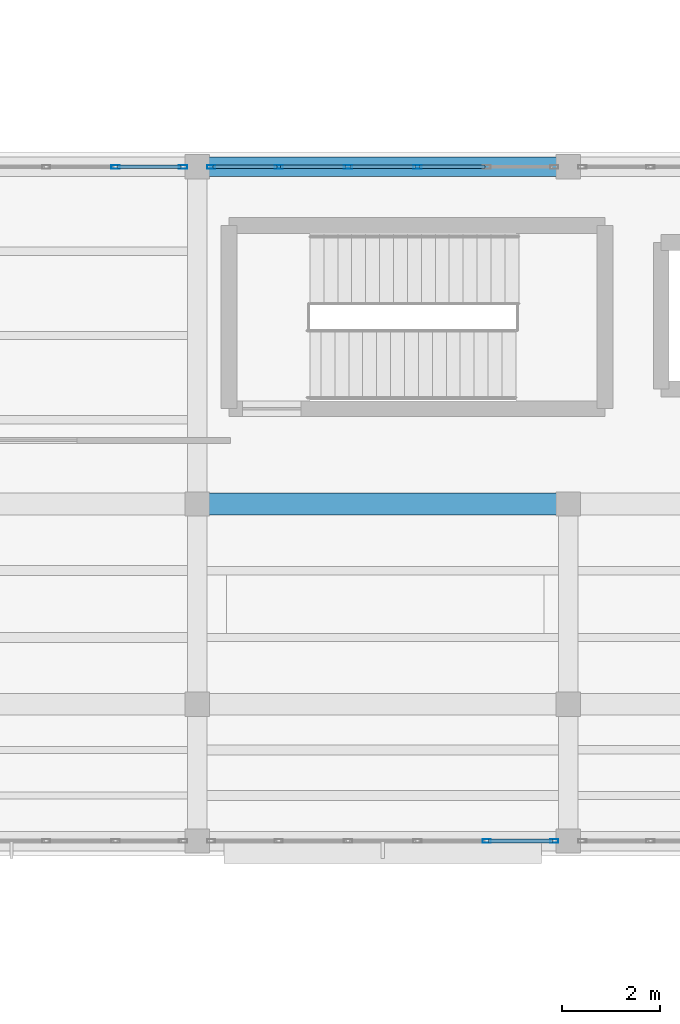
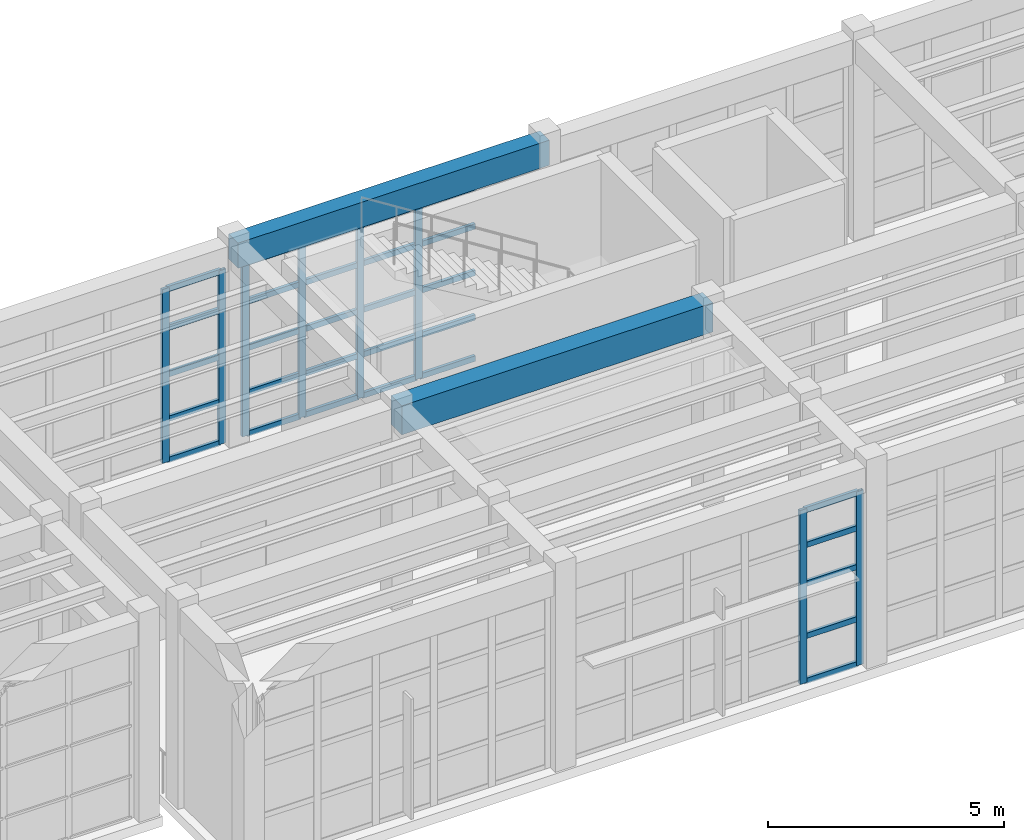
# One storey, part 24 of 103: 38 members, 2 beams, 3 elements without a shape of their own.
"""IFC4 building model written with IfcOpenShell, lengths in metres."""

from ifc_helpers import new_model, si_unit, direction, frame, origin, origin_2d, place, context, subcontext, project, spatial, rectangle, hollow_rectangle, extrude, material, layer, layer_set, material_profile, profile_set, type_object, element, aggregate, save


model = new_model("IFC4")

# Units and contexts
model_context = context("Model", 3, precision=1e-05, world=origin(), true_north=direction((0.0, 1.0)))
body_context = subcontext(model_context, "Body", "Model", "MODEL_VIEW")
ifc_project = project(units=[si_unit("LENGTHUNIT", "METRE"), si_unit("AREAUNIT", "SQUARE_METRE"), si_unit("VOLUMEUNIT", "CUBIC_METRE"), si_unit("PLANEANGLEUNIT", "RADIAN"), si_unit("MASSUNIT", "GRAM", prefix="KILO")], contexts=[model_context])

# Site, building, storey
site_placement = place(None, origin())
site = spatial("IfcSite", under=ifc_project, at=site_placement, CompositionType="ELEMENT")
building_placement = place(site_placement, origin())
building = spatial("IfcBuilding", under=site, at=building_placement, Name="Candilejo Ridge Gondola Terminal", CompositionType="ELEMENT")
storey_placement = place(building_placement, frame((0.0, 0.0, 9.0)))
storey = spatial("IfcBuildingStorey", under=building, at=storey_placement, Name="L02", CompositionType="ELEMENT", Elevation=9.0)

# Curtain wall, members
ifc_material_1 = material(Name="Anodised aluminium AA 6063-T6", Category="aluminium")
ifc_layer_1 = layer(ifc_material_1, 0.169921875)
ifc_layer_set_1 = layer_set([ifc_layer_1], Name="ARC-CW-GALLERY-3200-710X449")
curtain_wall_type_1 = type_object("IfcCurtainWallType", Name="ARC-CW-GALLERY-3200-710X449", PredefinedType="NOTDEFINED", material=ifc_layer_set_1)
curtain_wall_1_placement = place(storey_placement, origin())
curtain_wall_1 = element("IfcCurtainWall", 1, at=curtain_wall_1_placement, inside=storey, type_object=curtain_wall_type_1, Name="Curtain wall V3 L02-082", PredefinedType="NOTDEFINED")
ifc_material_2 = material(Name="Anodised aluminium AA 6063-T6", Category="aluminium")
ifc_material_profile_1 = material_profile(ifc_material_2, hollow_rectangle(XDim=0.074951171875, YDim=0.169921875, WallThickness=0.00390625, at=origin_2d()))
ifc_profile_set_1 = profile_set([ifc_material_profile_1], Name="Anodised aluminium AA 6063-T6")
member_type_1 = type_object("IfcMemberType", Name="ARC-CW-MULLION", PredefinedType="MULLION", material=ifc_profile_set_1)
member_1_placement = place(storey_placement, frame((92.929931640625, 36.699951171875, 0.0), z_axis=(0.0, 0.0, 1.0), x_axis=(0.0, 1.0, 0.0)))
member_1 = element("IfcMember", 2, at=member_1_placement, type_object=member_type_1, Name="CW-71X44 mullion 5", PredefinedType="MULLION", context=body_context, shape_type="SweptSolid", body=[
    extrude(hollow_rectangle(XDim=0.074951171875, YDim=0.169921875, WallThickness=0.00390625, at=origin_2d()), origin(), (0.0, 0.0, 1.0), 4.489990234375),
])
member_2_placement = place(storey_placement, frame((94.3125, 36.699951171875, 0.0), z_axis=(0.0, 0.0, 1.0), x_axis=(0.0, 1.0, 0.0)))
member_2 = element("IfcMember", 3, at=member_2_placement, type_object=member_type_1, Name="CW-71X44 mullion 6", PredefinedType="MULLION", context=body_context, shape_type="SweptSolid", body=[
    extrude(hollow_rectangle(XDim=0.074951171875, YDim=0.169921875, WallThickness=0.00390625, at=origin_2d()), origin(), (0.0, 0.0, 1.0), 4.489990234375),
])

curtain_wall_2_placement = place(storey_placement, origin())
curtain_wall_2 = element("IfcCurtainWall", 4, at=curtain_wall_2_placement, inside=storey, type_object=curtain_wall_type_1, Name="Curtain wall V3 L02-084", PredefinedType="NOTDEFINED")
member_3_placement = place(storey_placement, frame((94.887451171875, 36.699951171875, 0.0), z_axis=(0.0, 0.0, 1.0), x_axis=(0.0, 1.0, 0.0)))
member_3 = element("IfcMember", 5, at=member_3_placement, type_object=member_type_1, Name="CW-71X44 mullion 1", PredefinedType="MULLION", context=body_context, shape_type="SweptSolid", body=[
    extrude(hollow_rectangle(XDim=0.074951171875, YDim=0.169921875, WallThickness=0.00390625, at=origin_2d()), origin(), (0.0, 0.0, 1.0), 4.489990234375),
])
member_4_placement = place(storey_placement, frame((96.27001953125, 36.699951171875, 0.0), z_axis=(0.0, 0.0, 1.0), x_axis=(0.0, 1.0, 0.0)))
member_4 = element("IfcMember", 6, at=member_4_placement, type_object=member_type_1, Name="CW-71X44 mullion 2", PredefinedType="MULLION", context=body_context, shape_type="SweptSolid", body=[
    extrude(hollow_rectangle(XDim=0.074951171875, YDim=0.169921875, WallThickness=0.00390625, at=origin_2d()), origin(), (0.0, 0.0, 1.0), 4.489990234375),
])
member_5_placement = place(storey_placement, frame((97.68994140625, 36.699951171875, 0.0), z_axis=(0.0, 0.0, 1.0), x_axis=(0.0, 1.0, 0.0)))
member_5 = element("IfcMember", 7, at=member_5_placement, type_object=member_type_1, Name="CW-71X44 mullion 3", PredefinedType="MULLION", context=body_context, shape_type="SweptSolid", body=[
    extrude(hollow_rectangle(XDim=0.074951171875, YDim=0.169921875, WallThickness=0.00390625, at=origin_2d()), origin(), (0.0, 0.0, 1.0), 4.489990234375),
])
member_6_placement = place(storey_placement, frame((99.110107421875, 36.699951171875, 0.0), z_axis=(0.0, 0.0, 1.0), x_axis=(0.0, 1.0, 0.0)))
member_6 = element("IfcMember", 8, at=member_6_placement, type_object=member_type_1, Name="CW-71X44 mullion 4", PredefinedType="MULLION", context=body_context, shape_type="SweptSolid", body=[
    extrude(hollow_rectangle(XDim=0.074951171875, YDim=0.169921875, WallThickness=0.00390625, at=origin_2d()), origin(), (0.0, 0.0, 1.0), 4.489990234375),
])

ifc_material_3 = material(Name="Anodised aluminium AA 6063-T6", Category="aluminium")
ifc_layer_2 = layer(ifc_material_3, 0.169921875)
ifc_layer_set_2 = layer_set([ifc_layer_2], Name="ARC-CW-CONCOURSE-3600-710X449")
curtain_wall_type_2 = type_object("IfcCurtainWallType", Name="ARC-CW-CONCOURSE-3600-710X449", PredefinedType="NOTDEFINED", material=ifc_layer_set_2)
curtain_wall_3_placement = place(storey_placement, origin())
curtain_wall_3 = element("IfcCurtainWall", 9, at=curtain_wall_3_placement, inside=storey, type_object=curtain_wall_type_2, Name="Curtain wall V3 L02-085", PredefinedType="NOTDEFINED")
member_7_placement = place(storey_placement, frame((100.530029296875, 22.89990234375, 0.0), z_axis=(0.0, 0.0, 1.0), x_axis=(0.0, 1.0, 0.0)))
member_7 = element("IfcMember", 10, at=member_7_placement, type_object=member_type_1, Name="CW-71X44 mullion 5", PredefinedType="MULLION", context=body_context, shape_type="SweptSolid", body=[
    extrude(hollow_rectangle(XDim=0.074951171875, YDim=0.169921875, WallThickness=0.00390625, at=origin_2d()), origin(), (0.0, 0.0, 1.0), 4.489990234375),
])
member_8_placement = place(storey_placement, frame((101.91259765625, 22.89990234375, 0.0), z_axis=(0.0, 0.0, 1.0), x_axis=(0.0, 1.0, 0.0)))
member_8 = element("IfcMember", 11, at=member_8_placement, type_object=member_type_1, Name="CW-71X44 mullion 6", PredefinedType="MULLION", context=body_context, shape_type="SweptSolid", body=[
    extrude(hollow_rectangle(XDim=0.074951171875, YDim=0.169921875, WallThickness=0.00390625, at=origin_2d()), origin(), (0.0, 0.0, 1.0), 4.489990234375),
])

# Member
ifc_material_4 = material(Name="Anodised aluminium AA 6063-T6", Category="aluminium")
ifc_material_profile_2 = material_profile(ifc_material_4, hollow_rectangle(XDim=0.074951171875, YDim=0.139892578125, WallThickness=0.00390625, at=origin_2d()))
ifc_profile_set_2 = profile_set([ifc_material_profile_2], Name="Anodised aluminium AA 6063-T6")
member_type_2 = type_object("IfcMemberType", Name="ARC-CW-TRANSOM", PredefinedType="USERDEFINED", material=ifc_profile_set_2)
member_9_placement = place(storey_placement, frame((92.967529296875, 36.699951171875, 0.03759765625), z_axis=(1.0, 0.0, 0.0), x_axis=(0.0, 1.0, 0.0)))
member_9 = element("IfcMember", 12, at=member_9_placement, type_object=member_type_2, Name="CW-71X44 transom 5.1", ObjectType="TRANSOM", PredefinedType="USERDEFINED", context=body_context, shape_type="SweptSolid", body=[
    extrude(hollow_rectangle(XDim=0.074951171875, YDim=0.139892578125, WallThickness=0.00390625, at=origin_2d()), origin(), (0.0, 0.0, 1.0), 1.307373046875),
])

member_10_placement = place(storey_placement, frame((92.967529296875, 36.699951171875, 1.10009765625), z_axis=(1.0, 0.0, 0.0), x_axis=(0.0, 1.0, 0.0)))
member_10 = element("IfcMember", 13, at=member_10_placement, type_object=member_type_2, Name="CW-71X44 transom 5.2", ObjectType="TRANSOM", PredefinedType="USERDEFINED", context=body_context, shape_type="SweptSolid", body=[
    extrude(hollow_rectangle(XDim=0.074951171875, YDim=0.139892578125, WallThickness=0.00390625, at=origin_2d()), origin(), (0.0, 0.0, 1.0), 1.307373046875),
])

member_11_placement = place(storey_placement, frame((92.967529296875, 36.699951171875, 2.25), z_axis=(1.0, 0.0, 0.0), x_axis=(0.0, 1.0, 0.0)))
member_11 = element("IfcMember", 14, at=member_11_placement, type_object=member_type_2, Name="CW-71X44 transom 5.3", ObjectType="TRANSOM", PredefinedType="USERDEFINED", context=body_context, shape_type="SweptSolid", body=[
    extrude(hollow_rectangle(XDim=0.074951171875, YDim=0.139892578125, WallThickness=0.00390625, at=origin_2d()), origin(), (0.0, 0.0, 1.0), 1.307373046875),
])

member_12_placement = place(storey_placement, frame((92.967529296875, 36.699951171875, 3.449951171875), z_axis=(1.0, 0.0, 0.0), x_axis=(0.0, 1.0, 0.0)))
member_12 = element("IfcMember", 15, at=member_12_placement, type_object=member_type_2, Name="CW-71X44 transom 5.4", ObjectType="TRANSOM", PredefinedType="USERDEFINED", context=body_context, shape_type="SweptSolid", body=[
    extrude(hollow_rectangle(XDim=0.074951171875, YDim=0.139892578125, WallThickness=0.00390625, at=origin_2d()), origin(), (0.0, 0.0, 1.0), 1.307373046875),
])

member_13_placement = place(storey_placement, frame((92.967529296875, 36.699951171875, 4.452392578125), z_axis=(1.0, 0.0, 0.0), x_axis=(0.0, 1.0, 0.0)))
member_13 = element("IfcMember", 16, at=member_13_placement, type_object=member_type_2, Name="CW-71X44 transom 5.5", ObjectType="TRANSOM", PredefinedType="USERDEFINED", context=body_context, shape_type="SweptSolid", body=[
    extrude(hollow_rectangle(XDim=0.074951171875, YDim=0.139892578125, WallThickness=0.00390625, at=origin_2d()), origin(), (0.0, 0.0, 1.0), 1.307373046875),
])

aggregate(curtain_wall_1, [member_1, member_2, member_9, member_10, member_11, member_12, member_13])

member_14_placement = place(storey_placement, frame((94.925048828125, 36.699951171875, 0.03759765625), z_axis=(1.0, 0.0, 0.0), x_axis=(0.0, 1.0, 0.0)))
member_14 = element("IfcMember", 17, at=member_14_placement, type_object=member_type_2, Name="CW-71X44 transom 1.1", ObjectType="TRANSOM", PredefinedType="USERDEFINED", context=body_context, shape_type="SweptSolid", body=[
    extrude(hollow_rectangle(XDim=0.074951171875, YDim=0.139892578125, WallThickness=0.00390625, at=origin_2d()), origin(), (0.0, 0.0, 1.0), 1.307373046875),
])

member_15_placement = place(storey_placement, frame((94.925048828125, 36.699951171875, 1.10009765625), z_axis=(1.0, 0.0, 0.0), x_axis=(0.0, 1.0, 0.0)))
member_15 = element("IfcMember", 18, at=member_15_placement, type_object=member_type_2, Name="CW-71X44 transom 1.2", ObjectType="TRANSOM", PredefinedType="USERDEFINED", context=body_context, shape_type="SweptSolid", body=[
    extrude(hollow_rectangle(XDim=0.074951171875, YDim=0.139892578125, WallThickness=0.00390625, at=origin_2d()), origin(), (0.0, 0.0, 1.0), 1.307373046875),
])

member_16_placement = place(storey_placement, frame((94.925048828125, 36.699951171875, 2.25), z_axis=(1.0, 0.0, 0.0), x_axis=(0.0, 1.0, 0.0)))
member_16 = element("IfcMember", 19, at=member_16_placement, type_object=member_type_2, Name="CW-71X44 transom 1.3", ObjectType="TRANSOM", PredefinedType="USERDEFINED", context=body_context, shape_type="SweptSolid", body=[
    extrude(hollow_rectangle(XDim=0.074951171875, YDim=0.139892578125, WallThickness=0.00390625, at=origin_2d()), origin(), (0.0, 0.0, 1.0), 1.307373046875),
])

member_17_placement = place(storey_placement, frame((94.925048828125, 36.699951171875, 3.449951171875), z_axis=(1.0, 0.0, 0.0), x_axis=(0.0, 1.0, 0.0)))
member_17 = element("IfcMember", 20, at=member_17_placement, type_object=member_type_2, Name="CW-71X44 transom 1.4", ObjectType="TRANSOM", PredefinedType="USERDEFINED", context=body_context, shape_type="SweptSolid", body=[
    extrude(hollow_rectangle(XDim=0.074951171875, YDim=0.139892578125, WallThickness=0.00390625, at=origin_2d()), origin(), (0.0, 0.0, 1.0), 1.307373046875),
])

member_18_placement = place(storey_placement, frame((94.925048828125, 36.699951171875, 4.452392578125), z_axis=(1.0, 0.0, 0.0), x_axis=(0.0, 1.0, 0.0)))
member_18 = element("IfcMember", 21, at=member_18_placement, type_object=member_type_2, Name="CW-71X44 transom 1.5", ObjectType="TRANSOM", PredefinedType="USERDEFINED", context=body_context, shape_type="SweptSolid", body=[
    extrude(hollow_rectangle(XDim=0.074951171875, YDim=0.139892578125, WallThickness=0.00390625, at=origin_2d()), origin(), (0.0, 0.0, 1.0), 1.307373046875),
])

member_19_placement = place(storey_placement, frame((96.3076171875, 36.699951171875, 0.03759765625), z_axis=(1.0, 0.0, 0.0), x_axis=(0.0, 1.0, 0.0)))
member_19 = element("IfcMember", 22, at=member_19_placement, type_object=member_type_2, Name="CW-71X44 transom 2.1", ObjectType="TRANSOM", PredefinedType="USERDEFINED", context=body_context, shape_type="SweptSolid", body=[
    extrude(hollow_rectangle(XDim=0.074951171875, YDim=0.139892578125, WallThickness=0.00390625, at=origin_2d()), origin(), (0.0, 0.0, 1.0), 1.344970703125),
])

member_20_placement = place(storey_placement, frame((96.3076171875, 36.699951171875, 1.10009765625), z_axis=(1.0, 0.0, 0.0), x_axis=(0.0, 1.0, 0.0)))
member_20 = element("IfcMember", 23, at=member_20_placement, type_object=member_type_2, Name="CW-71X44 transom 2.2", ObjectType="TRANSOM", PredefinedType="USERDEFINED", context=body_context, shape_type="SweptSolid", body=[
    extrude(hollow_rectangle(XDim=0.074951171875, YDim=0.139892578125, WallThickness=0.00390625, at=origin_2d()), origin(), (0.0, 0.0, 1.0), 1.344970703125),
])

member_21_placement = place(storey_placement, frame((96.3076171875, 36.699951171875, 2.25), z_axis=(1.0, 0.0, 0.0), x_axis=(0.0, 1.0, 0.0)))
member_21 = element("IfcMember", 24, at=member_21_placement, type_object=member_type_2, Name="CW-71X44 transom 2.3", ObjectType="TRANSOM", PredefinedType="USERDEFINED", context=body_context, shape_type="SweptSolid", body=[
    extrude(hollow_rectangle(XDim=0.074951171875, YDim=0.139892578125, WallThickness=0.00390625, at=origin_2d()), origin(), (0.0, 0.0, 1.0), 1.344970703125),
])

member_22_placement = place(storey_placement, frame((96.3076171875, 36.699951171875, 3.449951171875), z_axis=(1.0, 0.0, 0.0), x_axis=(0.0, 1.0, 0.0)))
member_22 = element("IfcMember", 25, at=member_22_placement, type_object=member_type_2, Name="CW-71X44 transom 2.4", ObjectType="TRANSOM", PredefinedType="USERDEFINED", context=body_context, shape_type="SweptSolid", body=[
    extrude(hollow_rectangle(XDim=0.074951171875, YDim=0.139892578125, WallThickness=0.00390625, at=origin_2d()), origin(), (0.0, 0.0, 1.0), 1.344970703125),
])

member_23_placement = place(storey_placement, frame((96.3076171875, 36.699951171875, 4.452392578125), z_axis=(1.0, 0.0, 0.0), x_axis=(0.0, 1.0, 0.0)))
member_23 = element("IfcMember", 26, at=member_23_placement, type_object=member_type_2, Name="CW-71X44 transom 2.5", ObjectType="TRANSOM", PredefinedType="USERDEFINED", context=body_context, shape_type="SweptSolid", body=[
    extrude(hollow_rectangle(XDim=0.074951171875, YDim=0.139892578125, WallThickness=0.00390625, at=origin_2d()), origin(), (0.0, 0.0, 1.0), 1.344970703125),
])

member_24_placement = place(storey_placement, frame((97.7275390625, 36.699951171875, 0.03759765625), z_axis=(1.0, 0.0, 0.0), x_axis=(0.0, 1.0, 0.0)))
member_24 = element("IfcMember", 27, at=member_24_placement, type_object=member_type_2, Name="CW-71X44 transom 3.1", ObjectType="TRANSOM", PredefinedType="USERDEFINED", context=body_context, shape_type="SweptSolid", body=[
    extrude(hollow_rectangle(XDim=0.074951171875, YDim=0.139892578125, WallThickness=0.00390625, at=origin_2d()), origin(), (0.0, 0.0, 1.0), 1.344970703125),
])

member_25_placement = place(storey_placement, frame((97.7275390625, 36.699951171875, 1.10009765625), z_axis=(1.0, 0.0, 0.0), x_axis=(0.0, 1.0, 0.0)))
member_25 = element("IfcMember", 28, at=member_25_placement, type_object=member_type_2, Name="CW-71X44 transom 3.2", ObjectType="TRANSOM", PredefinedType="USERDEFINED", context=body_context, shape_type="SweptSolid", body=[
    extrude(hollow_rectangle(XDim=0.074951171875, YDim=0.139892578125, WallThickness=0.00390625, at=origin_2d()), origin(), (0.0, 0.0, 1.0), 1.344970703125),
])

member_26_placement = place(storey_placement, frame((97.7275390625, 36.699951171875, 2.25), z_axis=(1.0, 0.0, 0.0), x_axis=(0.0, 1.0, 0.0)))
member_26 = element("IfcMember", 29, at=member_26_placement, type_object=member_type_2, Name="CW-71X44 transom 3.3", ObjectType="TRANSOM", PredefinedType="USERDEFINED", context=body_context, shape_type="SweptSolid", body=[
    extrude(hollow_rectangle(XDim=0.074951171875, YDim=0.139892578125, WallThickness=0.00390625, at=origin_2d()), origin(), (0.0, 0.0, 1.0), 1.344970703125),
])

member_27_placement = place(storey_placement, frame((97.7275390625, 36.699951171875, 3.449951171875), z_axis=(1.0, 0.0, 0.0), x_axis=(0.0, 1.0, 0.0)))
member_27 = element("IfcMember", 30, at=member_27_placement, type_object=member_type_2, Name="CW-71X44 transom 3.4", ObjectType="TRANSOM", PredefinedType="USERDEFINED", context=body_context, shape_type="SweptSolid", body=[
    extrude(hollow_rectangle(XDim=0.074951171875, YDim=0.139892578125, WallThickness=0.00390625, at=origin_2d()), origin(), (0.0, 0.0, 1.0), 1.344970703125),
])

member_28_placement = place(storey_placement, frame((97.7275390625, 36.699951171875, 4.452392578125), z_axis=(1.0, 0.0, 0.0), x_axis=(0.0, 1.0, 0.0)))
member_28 = element("IfcMember", 31, at=member_28_placement, type_object=member_type_2, Name="CW-71X44 transom 3.5", ObjectType="TRANSOM", PredefinedType="USERDEFINED", context=body_context, shape_type="SweptSolid", body=[
    extrude(hollow_rectangle(XDim=0.074951171875, YDim=0.139892578125, WallThickness=0.00390625, at=origin_2d()), origin(), (0.0, 0.0, 1.0), 1.344970703125),
])

member_29_placement = place(storey_placement, frame((99.1474609375, 36.699951171875, 0.03759765625), z_axis=(1.0, 0.0, 0.0), x_axis=(0.0, 1.0, 0.0)))
member_29 = element("IfcMember", 32, at=member_29_placement, type_object=member_type_2, Name="CW-71X44 transom 4.1", ObjectType="TRANSOM", PredefinedType="USERDEFINED", context=body_context, shape_type="SweptSolid", body=[
    extrude(hollow_rectangle(XDim=0.074951171875, YDim=0.139892578125, WallThickness=0.00390625, at=origin_2d()), origin(), (0.0, 0.0, 1.0), 1.344970703125),
])

member_30_placement = place(storey_placement, frame((99.1474609375, 36.699951171875, 1.10009765625), z_axis=(1.0, 0.0, 0.0), x_axis=(0.0, 1.0, 0.0)))
member_30 = element("IfcMember", 33, at=member_30_placement, type_object=member_type_2, Name="CW-71X44 transom 4.2", ObjectType="TRANSOM", PredefinedType="USERDEFINED", context=body_context, shape_type="SweptSolid", body=[
    extrude(hollow_rectangle(XDim=0.074951171875, YDim=0.139892578125, WallThickness=0.00390625, at=origin_2d()), origin(), (0.0, 0.0, 1.0), 1.344970703125),
])

member_31_placement = place(storey_placement, frame((99.1474609375, 36.699951171875, 2.25), z_axis=(1.0, 0.0, 0.0), x_axis=(0.0, 1.0, 0.0)))
member_31 = element("IfcMember", 34, at=member_31_placement, type_object=member_type_2, Name="CW-71X44 transom 4.3", ObjectType="TRANSOM", PredefinedType="USERDEFINED", context=body_context, shape_type="SweptSolid", body=[
    extrude(hollow_rectangle(XDim=0.074951171875, YDim=0.139892578125, WallThickness=0.00390625, at=origin_2d()), origin(), (0.0, 0.0, 1.0), 1.344970703125),
])

member_32_placement = place(storey_placement, frame((99.1474609375, 36.699951171875, 3.449951171875), z_axis=(1.0, 0.0, 0.0), x_axis=(0.0, 1.0, 0.0)))
member_32 = element("IfcMember", 35, at=member_32_placement, type_object=member_type_2, Name="CW-71X44 transom 4.4", ObjectType="TRANSOM", PredefinedType="USERDEFINED", context=body_context, shape_type="SweptSolid", body=[
    extrude(hollow_rectangle(XDim=0.074951171875, YDim=0.139892578125, WallThickness=0.00390625, at=origin_2d()), origin(), (0.0, 0.0, 1.0), 1.344970703125),
])

member_33_placement = place(storey_placement, frame((99.1474609375, 36.699951171875, 4.452392578125), z_axis=(1.0, 0.0, 0.0), x_axis=(0.0, 1.0, 0.0)))
member_33 = element("IfcMember", 36, at=member_33_placement, type_object=member_type_2, Name="CW-71X44 transom 4.5", ObjectType="TRANSOM", PredefinedType="USERDEFINED", context=body_context, shape_type="SweptSolid", body=[
    extrude(hollow_rectangle(XDim=0.074951171875, YDim=0.139892578125, WallThickness=0.00390625, at=origin_2d()), origin(), (0.0, 0.0, 1.0), 1.344970703125),
])

aggregate(curtain_wall_2, [member_3, member_4, member_5, member_6, member_14, member_15, member_16, member_17, member_18, member_19, member_20, member_21, member_22, member_23, member_24, member_25, member_26, member_27, member_28, member_29, member_30, member_31, member_32, member_33])

member_34_placement = place(storey_placement, frame((100.5673828125, 22.89990234375, 0.03759765625), z_axis=(1.0, 0.0, 0.0), x_axis=(0.0, 1.0, 0.0)))
member_34 = element("IfcMember", 37, at=member_34_placement, type_object=member_type_2, Name="CW-71X44 transom 5.1", ObjectType="TRANSOM", PredefinedType="USERDEFINED", context=body_context, shape_type="SweptSolid", body=[
    extrude(hollow_rectangle(XDim=0.074951171875, YDim=0.139892578125, WallThickness=0.00390625, at=origin_2d()), origin(), (0.0, 0.0, 1.0), 1.3076171875),
])

member_35_placement = place(storey_placement, frame((100.5673828125, 22.89990234375, 1.199951171875), z_axis=(1.0, 0.0, 0.0), x_axis=(0.0, 1.0, 0.0)))
member_35 = element("IfcMember", 38, at=member_35_placement, type_object=member_type_2, Name="CW-71X44 transom 5.2", ObjectType="TRANSOM", PredefinedType="USERDEFINED", context=body_context, shape_type="SweptSolid", body=[
    extrude(hollow_rectangle(XDim=0.074951171875, YDim=0.139892578125, WallThickness=0.00390625, at=origin_2d()), origin(), (0.0, 0.0, 1.0), 1.3076171875),
])

member_36_placement = place(storey_placement, frame((100.5673828125, 22.89990234375, 2.550048828125), z_axis=(1.0, 0.0, 0.0), x_axis=(0.0, 1.0, 0.0)))
member_36 = element("IfcMember", 39, at=member_36_placement, type_object=member_type_2, Name="CW-71X44 transom 5.3", ObjectType="TRANSOM", PredefinedType="USERDEFINED", context=body_context, shape_type="SweptSolid", body=[
    extrude(hollow_rectangle(XDim=0.074951171875, YDim=0.139892578125, WallThickness=0.00390625, at=origin_2d()), origin(), (0.0, 0.0, 1.0), 1.3076171875),
])

member_37_placement = place(storey_placement, frame((100.5673828125, 22.89990234375, 3.550048828125), z_axis=(1.0, 0.0, 0.0), x_axis=(0.0, 1.0, 0.0)))
member_37 = element("IfcMember", 40, at=member_37_placement, type_object=member_type_2, Name="CW-71X44 transom 5.4", ObjectType="TRANSOM", PredefinedType="USERDEFINED", context=body_context, shape_type="SweptSolid", body=[
    extrude(hollow_rectangle(XDim=0.074951171875, YDim=0.139892578125, WallThickness=0.00390625, at=origin_2d()), origin(), (0.0, 0.0, 1.0), 1.3076171875),
])

member_38_placement = place(storey_placement, frame((100.5673828125, 22.89990234375, 4.452392578125), z_axis=(1.0, 0.0, 0.0), x_axis=(0.0, 1.0, 0.0)))
member_38 = element("IfcMember", 41, at=member_38_placement, type_object=member_type_2, Name="CW-71X44 transom 5.5", ObjectType="TRANSOM", PredefinedType="USERDEFINED", context=body_context, shape_type="SweptSolid", body=[
    extrude(hollow_rectangle(XDim=0.074951171875, YDim=0.139892578125, WallThickness=0.00390625, at=origin_2d()), origin(), (0.0, 0.0, 1.0), 1.3076171875),
])

aggregate(curtain_wall_3, [member_7, member_8, member_34, member_35, member_36, member_37, member_38])

# Beams
ifc_material_5 = material(Name="Concrete f'c 35 MPa (C35/45)", Category="concrete")
ifc_material_profile_3 = material_profile(ifc_material_5, rectangle(XDim=0.449951171875, YDim=0.75, at=origin_2d()))
ifc_profile_set_3 = profile_set([ifc_material_profile_3], Name="Concrete f'c 35 MPa (C35/45)")
beam_type_1 = type_object("IfcBeamType", Name="STR-BM-RC450X750", PredefinedType="BEAM", material=ifc_profile_set_3)
beam_1_placement = place(storey_placement, frame((94.60009765625, 29.800048828125, 4.800048828125), z_axis=(1.0, 0.0, 0.0), x_axis=(0.0, 1.0, 0.0)))
element("IfcBeam", 42, at=beam_1_placement, inside=storey, type_object=beam_type_1, Name="Beam X V3 L02 X15-X16@Y06", PredefinedType="BEAM", context=body_context, shape_type="SweptSolid", body=[
    extrude(rectangle(XDim=0.449951171875, YDim=0.75, at=origin_2d()), origin(), (0.0, 0.0, 1.0), 7.599853515625),
])
ifc_material_6 = material(Name="Concrete f'c 35 MPa (C35/45)", Category="concrete")
ifc_material_profile_4 = material_profile(ifc_material_6, rectangle(XDim=0.39990234375, YDim=0.64990234375, at=origin_2d()))
ifc_profile_set_4 = profile_set([ifc_material_profile_4], Name="Concrete f'c 35 MPa (C35/45)")
beam_type_2 = type_object("IfcBeamType", Name="STR-SPN-RC400X650", PredefinedType="SPANDREL", material=ifc_profile_set_4)
beam_2_placement = place(storey_placement, frame((94.60009765625, 36.699951171875, 4.85009765625), z_axis=(1.0, 0.0, 0.0), x_axis=(0.0, 1.0, 0.0)))
element("IfcBeam", 43, at=beam_2_placement, inside=storey, type_object=beam_type_2, Name="Beam X V3 L02 X15-X16@Y07", PredefinedType="SPANDREL", context=body_context, shape_type="SweptSolid", body=[
    extrude(rectangle(XDim=0.39990234375, YDim=0.64990234375, at=origin_2d()), origin(), (0.0, 0.0, 1.0), 7.599853515625),
])

save(model, "model.ifc")
